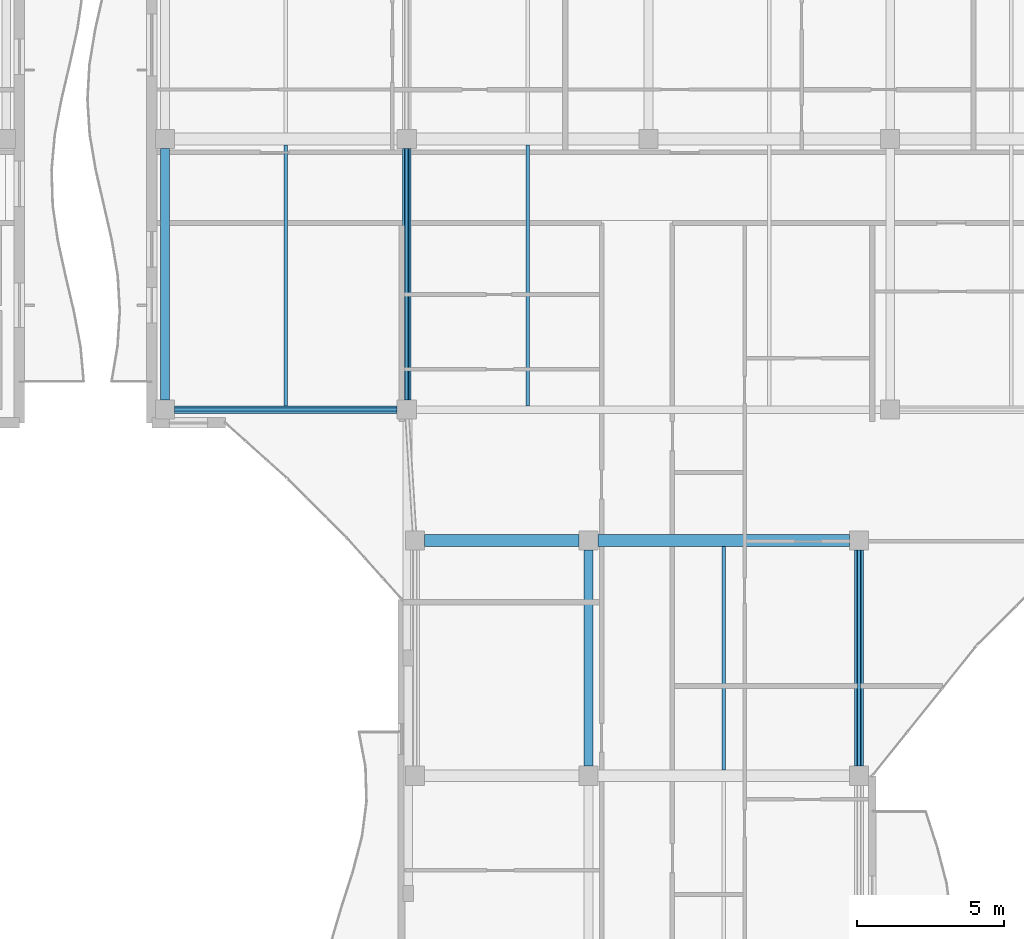
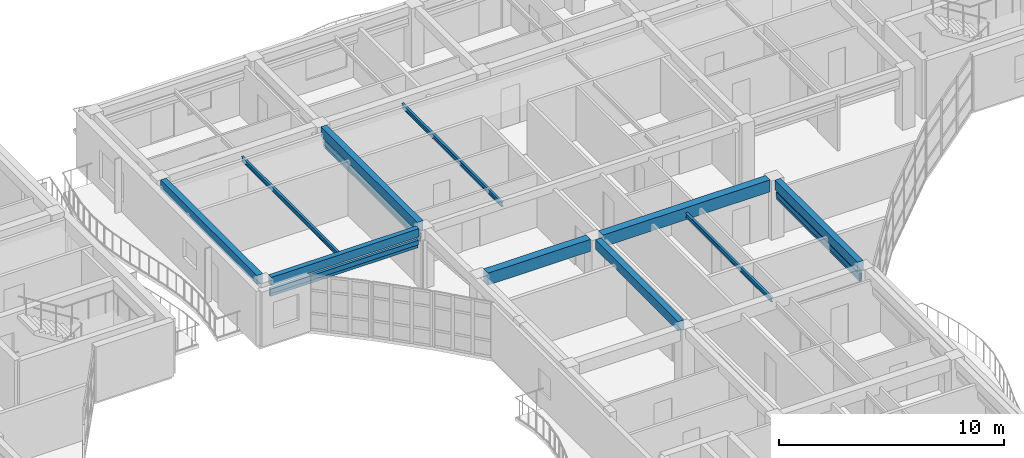
# One storey, part 13 of 89: 10 beams, 6 members.
"""IFC4 building model written with IfcOpenShell, lengths in metres."""

from ifc_helpers import new_model, si_unit, direction, frame, origin, origin_2d, place, context, subcontext, project, spatial, rectangle, hollow_rectangle, i_section, extrude, material, material_profile, profile_set, type_object, element, save


model = new_model("IFC4")

# Units and contexts
model_context = context("Model", 3, precision=1e-05, world=origin(), true_north=direction((0.0, 1.0)))
body_context = subcontext(model_context, "Body", "Model", "MODEL_VIEW")
ifc_project = project(units=[si_unit("LENGTHUNIT", "METRE"), si_unit("AREAUNIT", "SQUARE_METRE"), si_unit("VOLUMEUNIT", "CUBIC_METRE"), si_unit("PLANEANGLEUNIT", "RADIAN"), si_unit("MASSUNIT", "GRAM", prefix="KILO")], contexts=[model_context])

# Site, building, storey
site_placement = place(None, origin())
site = spatial("IfcSite", under=ifc_project, at=site_placement, CompositionType="ELEMENT")
building_placement = place(site_placement, origin())
building = spatial("IfcBuilding", under=site, at=building_placement, Name="Keldmere Railside Commons", CompositionType="ELEMENT")
storey_placement = place(building_placement, frame((0.0, 0.0, 7.360107421875)))
storey = spatial("IfcBuildingStorey", under=building, at=storey_placement, Name="L02", CompositionType="ELEMENT", Elevation=7.360107421875)

# Members
ifc_material_1 = material(Name="Steel F-36 (S355)", Category="steel")
ifc_material_profile_1 = material_profile(ifc_material_1, hollow_rectangle(XDim=0.14990234375, YDim=0.25, WallThickness=0.010009765625, at=origin_2d()), Name="RHS-250x150x10")
ifc_profile_set_1 = profile_set([ifc_material_profile_1], Name="Steel F-36 (S355)")
member_type_1 = type_object("IfcMemberType", Name="Balcony Continuous Planted Trough RHS250x150", PredefinedType="CHORD", material=ifc_profile_set_1)
member_1_placement = place(storey_placement, frame((40.27490234375, 100.449951171875, 2.414794921875), z_axis=(1.0, 0.0, 0.0), x_axis=(0.0, 1.0, 0.0)))
element("IfcMember", 1, at=member_1_placement, inside=storey, type_object=member_type_1, Name="PLT-1 MEM-BPLT-0247", PredefinedType="CHORD", context=body_context, shape_type="SweptSolid", body=[
    extrude(hollow_rectangle(XDim=0.14990234375, YDim=0.25, WallThickness=0.010009765625, at=origin_2d()), origin(), (0.0, 0.0, 1.0), 7.570068359375),
])
member_2_placement = place(storey_placement, frame((48.169921875, 100.77490234375, 2.414794921875), z_axis=(0.0, 1.0, 0.0), x_axis=(-1.0, 0.0, 0.0)))
element("IfcMember", 2, at=member_2_placement, inside=storey, type_object=member_type_1, Name="PLT-1 MEM-BPLT-0257", PredefinedType="CHORD", context=body_context, shape_type="SweptSolid", body=[
    extrude(hollow_rectangle(XDim=0.14990234375, YDim=0.25, WallThickness=0.010009765625, at=origin_2d()), origin(), (0.0, 0.0, 1.0), 8.550048828125),
])
member_3_placement = place(storey_placement, frame((63.550048828125, 88.324951171875, 2.414794921875), z_axis=(0.0, 1.0, 0.0), x_axis=(-1.0, 0.0, 0.0)))
element("IfcMember", 3, at=member_3_placement, inside=storey, type_object=member_type_1, Name="PLT-1 MEM-BPLT-0269", PredefinedType="CHORD", context=body_context, shape_type="SweptSolid", body=[
    extrude(hollow_rectangle(XDim=0.14990234375, YDim=0.25, WallThickness=0.010009765625, at=origin_2d()), origin(), (0.0, 0.0, 1.0), 7.35009765625),
])

# Beams
ifc_material_profile_2 = material_profile(ifc_material_1, i_section(OverallWidth=0.1201171875, OverallDepth=0.239990234375, WebThickness=0.006103515625, FlangeThickness=0.009765625, at=origin_2d()), Name="IPE-240")
ifc_profile_set_2 = profile_set([ifc_material_profile_2], Name="Steel F-36 (S355)")
beam_type_1 = type_object("IfcBeamType", Name="Nursery & Mezzanine Steel Joist IPE240", PredefinedType="JOIST", material=ifc_profile_set_2)
beam_1_placement = place(storey_placement, frame((58.949951171875, 88.199951171875, 2.809814453125), z_axis=(0.0, 1.0, 0.0), x_axis=(-1.0, 0.0, 0.0)))
element("IfcBeam", 4, at=beam_1_placement, inside=storey, type_object=beam_type_1, Name="JST-2 BM-L02-1294", PredefinedType="JOIST", context=body_context, shape_type="SweptSolid", body=[
    extrude(i_section(OverallWidth=0.1201171875, OverallDepth=0.239990234375, WebThickness=0.006103515625, FlangeThickness=0.009765625, at=origin_2d()), origin(), (0.0, 0.0, 1.0), 7.60009765625),
])
for number, where, z_axis, x_axis, name in (
    (5, (44.06005859375, 100.574951171875, 2.809814453125), (0.0, 1.0, 0.0), (-1.0, 0.0, 0.0), "JST-2 BM-L02-1299"),
    (6, (52.280029296875, 100.574951171875, 2.809814453125), (0.0, 1.0, 0.0), (-1.0, 0.0, 0.0), "JST-2 BM-L02-1300"),
):
    element("IfcBeam", number, at=place(storey_placement, frame(where, z_axis=z_axis, x_axis=x_axis)), inside=storey, type_object=beam_type_1, Name=name, PredefinedType="JOIST", context=body_context, shape_type="SweptSolid", body=[
        extrude(i_section(OverallWidth=0.1201171875, OverallDepth=0.239990234375, WebThickness=0.006103515625, FlangeThickness=0.009765625, at=origin_2d()), origin(), (0.0, 0.0, 1.0), 8.875),
    ])
ifc_material_2 = material(Name="Architectural Precast Concrete H-35 (C35/45)", Category="concrete")
ifc_material_profile_3 = material_profile(ifc_material_2, rectangle(XDim=0.25, YDim=0.449951171875, at=origin_2d()), Name="RC-250x450")
ifc_profile_set_3 = profile_set([ifc_material_profile_3], Name="Architectural Precast Concrete H-35 (C35/45)")
beam_type_2 = type_object("IfcBeamType", Name="Perimeter Precast Spandrel Beam 250x450", PredefinedType="SPANDREL", material=ifc_profile_set_3)
beam_2_placement = place(storey_placement, frame((40.27490234375, 100.449951171875, 2.974853515625), z_axis=(1.0, 0.0, 0.0), x_axis=(0.0, 1.0, 0.0)))
element("IfcBeam", 7, at=beam_2_placement, inside=storey, type_object=beam_type_2, Name="SPB-1 BM-L02-1109", PredefinedType="SPANDREL", context=body_context, shape_type="SweptSolid", body=[
    extrude(rectangle(XDim=0.25, YDim=0.449951171875, at=origin_2d()), origin(), (0.0, 0.0, 1.0), 7.570068359375),
])
ifc_material_3 = material(Name="Concrete H-30 (C30/37)", Category="concrete")
ifc_material_profile_4 = material_profile(ifc_material_3, rectangle(XDim=0.39990234375, YDim=0.64990234375, at=origin_2d()), Name="RC-400x650")
ifc_profile_set_4 = profile_set([ifc_material_profile_4], Name="Concrete H-30 (C30/37)")
beam_type_3 = type_object("IfcBeamType", Name="Residential Spine RC Girder 400x650", PredefinedType="BEAM", material=ifc_profile_set_4)
beam_3_placement = place(storey_placement, frame((48.77490234375, 96.0, 2.875), z_axis=(1.0, 0.0, 0.0), x_axis=(0.0, 1.0, 0.0)))
element("IfcBeam", 8, at=beam_3_placement, inside=storey, type_object=beam_type_3, Name="BG-3 BM-L02-1102", PredefinedType="BEAM", context=body_context, shape_type="SweptSolid", body=[
    extrude(rectangle(XDim=0.39990234375, YDim=0.64990234375, at=origin_2d()), origin(), (0.0, 0.0, 1.0), 5.25),
])
beam_4_placement = place(storey_placement, frame((54.675048828125, 96.0, 2.875), z_axis=(1.0, 0.0, 0.0), x_axis=(0.0, 1.0, 0.0)))
element("IfcBeam", 9, at=beam_4_placement, inside=storey, type_object=beam_type_3, Name="BG-3 BM-L02-1103", PredefinedType="BEAM", context=body_context, shape_type="SweptSolid", body=[
    extrude(rectangle(XDim=0.39990234375, YDim=0.64990234375, at=origin_2d()), origin(), (0.0, 0.0, 1.0), 8.550048828125),
])
ifc_material_profile_5 = material_profile(ifc_material_3, rectangle(XDim=0.300048828125, YDim=0.5, at=origin_2d()), Name="RC-300x500")
ifc_profile_set_5 = profile_set([ifc_material_profile_5], Name="Concrete H-30 (C30/37)")
beam_type_4 = type_object("IfcBeamType", Name="Secondary Frame RC Beam 300x500", PredefinedType="BEAM", material=ifc_profile_set_5)
for number, where, z_axis, x_axis, name in (
    (10, (39.949951171875, 100.77490234375, 2.949951171875), (0.0, 1.0, 0.0), (-1.0, 0.0, 0.0), "BG-5 BM-L02-1176"),
    (11, (48.169921875, 100.77490234375, 2.949951171875), (0.0, 1.0, 0.0), (-1.0, 0.0, 0.0), "BG-5 BM-L02-1180"),
):
    element("IfcBeam", number, at=place(storey_placement, frame(where, z_axis=z_axis, x_axis=x_axis)), inside=storey, type_object=beam_type_4, Name=name, PredefinedType="BEAM", context=body_context, shape_type="SweptSolid", body=[
        extrude(rectangle(XDim=0.300048828125, YDim=0.5, at=origin_2d()), origin(), (0.0, 0.0, 1.0), 8.550048828125),
    ])
for number, where, z_axis, x_axis, name in (
    (12, (54.35009765625, 88.324951171875, 2.949951171875), (0.0, 1.0, 0.0), (-1.0, 0.0, 0.0), "BG-5 BM-L02-1188"),
    (13, (63.550048828125, 88.324951171875, 2.949951171875), (0.0, 1.0, 0.0), (-1.0, 0.0, 0.0), "BG-5 BM-L02-1194"),
):
    element("IfcBeam", number, at=place(storey_placement, frame(where, z_axis=z_axis, x_axis=x_axis)), inside=storey, type_object=beam_type_4, Name=name, PredefinedType="BEAM", context=body_context, shape_type="SweptSolid", body=[
        extrude(rectangle(XDim=0.300048828125, YDim=0.5, at=origin_2d()), origin(), (0.0, 0.0, 1.0), 7.35009765625),
    ])

# Members
ifc_material_profile_6 = material_profile(ifc_material_1, hollow_rectangle(XDim=0.10009765625, YDim=0.159912109375, WallThickness=0.008056640625, at=origin_2d()), Name="RHS-160x100x8")
ifc_profile_set_6 = profile_set([ifc_material_profile_6], Name="Steel F-36 (S355)")
member_type_2 = type_object("IfcMemberType", Name="Solar Brise-Soleil Louvre Fin RHS160x100", PredefinedType="STRUT", material=ifc_profile_set_6)
member_4_placement = place(storey_placement, frame((40.27490234375, 100.449951171875, 2.199951171875), z_axis=(1.0, 0.0, 0.0), x_axis=(0.0, 1.0, 0.0)))
element("IfcMember", 14, at=member_4_placement, inside=storey, type_object=member_type_2, Name="BSF-1 MEM-BSF-0248", PredefinedType="STRUT", context=body_context, shape_type="SweptSolid", body=[
    extrude(hollow_rectangle(XDim=0.10009765625, YDim=0.159912109375, WallThickness=0.008056640625, at=origin_2d()), origin(), (0.0, 0.0, 1.0), 7.570068359375),
])
member_5_placement = place(storey_placement, frame((48.169921875, 100.77490234375, 2.199951171875), z_axis=(0.0, 1.0, 0.0), x_axis=(-1.0, 0.0, 0.0)))
element("IfcMember", 15, at=member_5_placement, inside=storey, type_object=member_type_2, Name="BSF-1 MEM-BSF-0258", PredefinedType="STRUT", context=body_context, shape_type="SweptSolid", body=[
    extrude(hollow_rectangle(XDim=0.10009765625, YDim=0.159912109375, WallThickness=0.008056640625, at=origin_2d()), origin(), (0.0, 0.0, 1.0), 8.550048828125),
])
member_6_placement = place(storey_placement, frame((63.550048828125, 88.324951171875, 2.199951171875), z_axis=(0.0, 1.0, 0.0), x_axis=(-1.0, 0.0, 0.0)))
element("IfcMember", 16, at=member_6_placement, inside=storey, type_object=member_type_2, Name="BSF-1 MEM-BSF-0270", PredefinedType="STRUT", context=body_context, shape_type="SweptSolid", body=[
    extrude(hollow_rectangle(XDim=0.10009765625, YDim=0.159912109375, WallThickness=0.008056640625, at=origin_2d()), origin(), (0.0, 0.0, 1.0), 7.35009765625),
])

save(model, "model.ifc")
